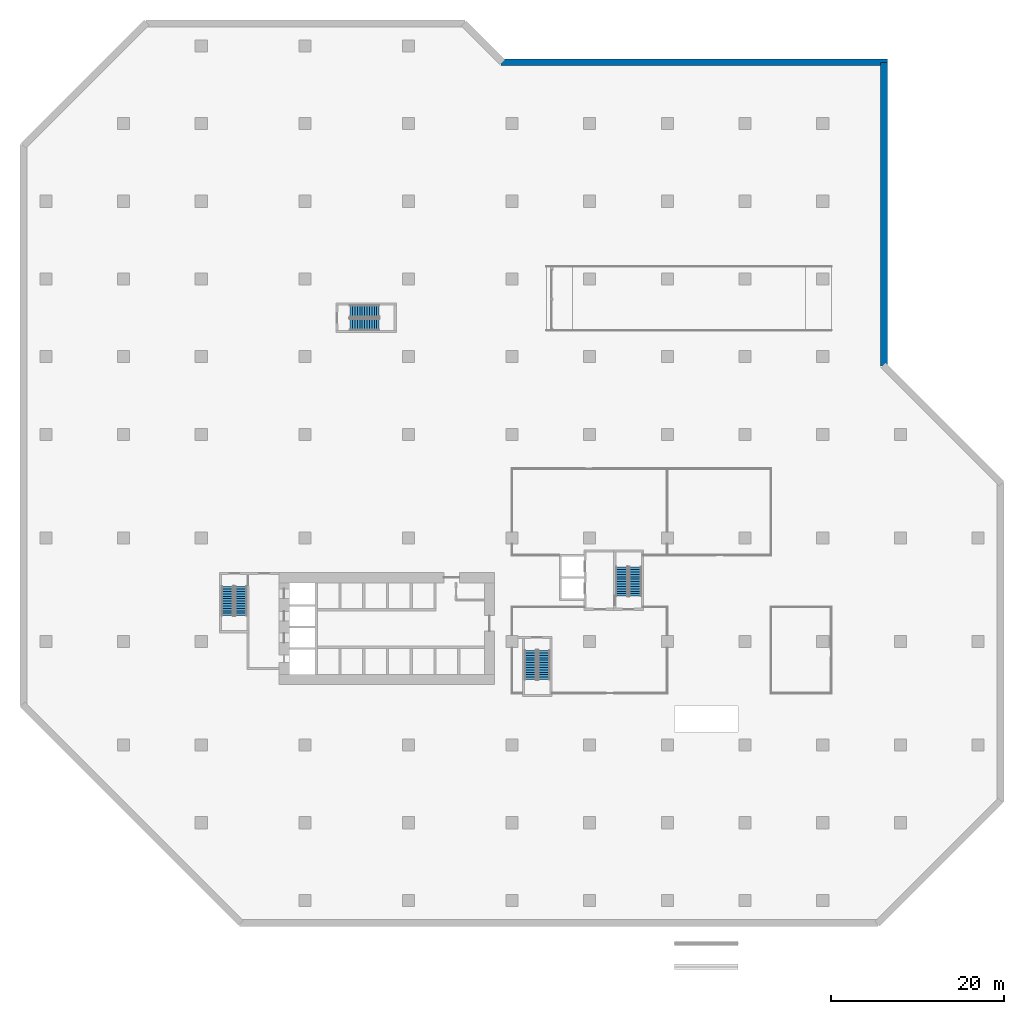
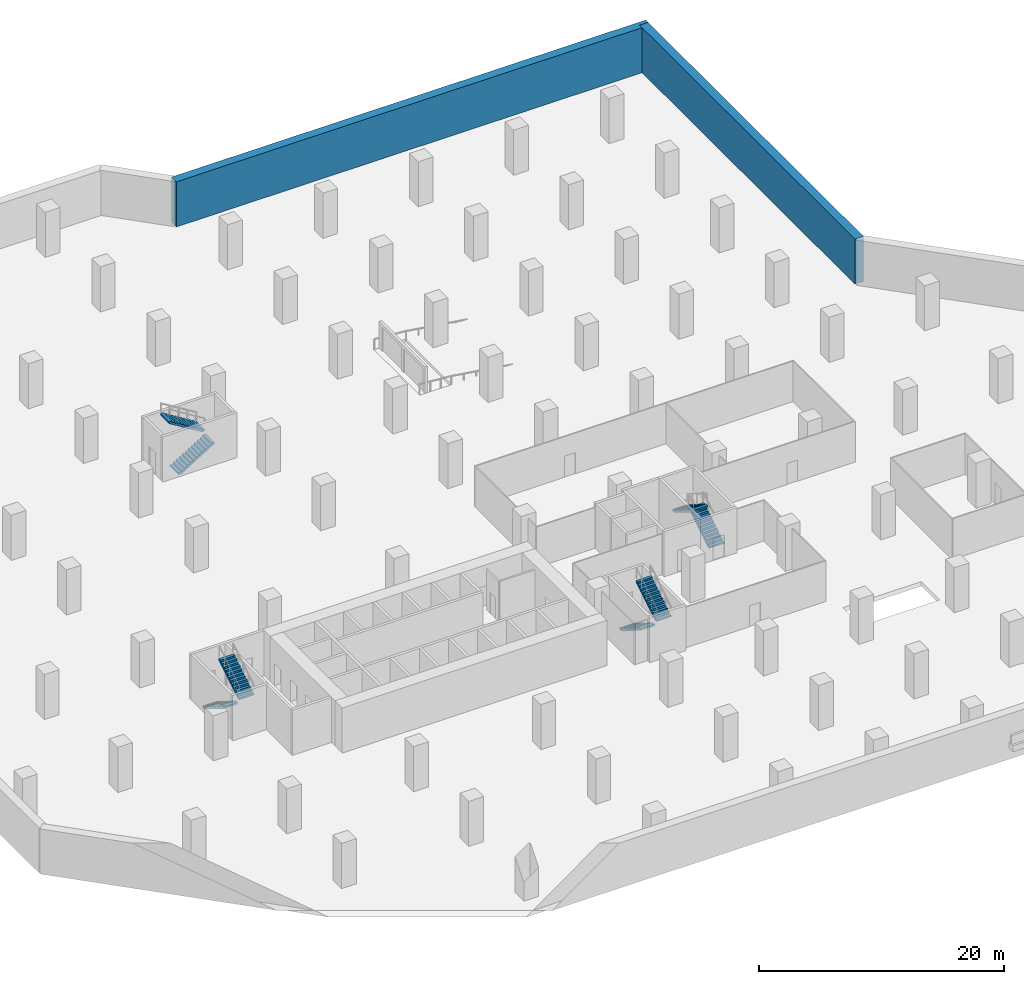
# One storey, part 7 of 9: 8 stair flights, 2 walls, 4 elements without a shape of their own.
"""IFC4 building model written with IfcOpenShell, lengths in metres."""

from ifc_helpers import new_model, si_unit, direction, frame, frame_2d, origin, place, context, subcontext, project, spatial, polyline, rectangle, outline, extrude, material, layer, layer_set, type_object, element, aggregate, save


model = new_model("IFC4")

# Units and contexts
model_context = context("Model", 3, precision=1e-05, world=origin(), true_north=direction((0.0, 1.0)))
body_context = subcontext(model_context, "Body", "Model", "MODEL_VIEW")
ifc_project = project(units=[si_unit("LENGTHUNIT", "METRE"), si_unit("AREAUNIT", "SQUARE_METRE"), si_unit("VOLUMEUNIT", "CUBIC_METRE"), si_unit("PLANEANGLEUNIT", "RADIAN"), si_unit("MASSUNIT", "GRAM", prefix="KILO")], contexts=[model_context])

# Site, building, storey
site_placement = place(None, origin())
site = spatial("IfcSite", under=ifc_project, at=site_placement, CompositionType="ELEMENT")
building_placement = place(site_placement, origin())
building = spatial("IfcBuilding", under=site, at=building_placement, Name="Chenar Terraces", CompositionType="ELEMENT")
storey_placement = place(building_placement, frame((0.0, 0.0, -4.5)))
storey = spatial("IfcBuildingStorey", under=building, at=storey_placement, Name="B1", CompositionType="ELEMENT", Elevation=-4.5)

# Walls
ifc_material_1 = material(Name="Concrete C40/50", Category="concrete")
ifc_layer = layer(ifc_material_1, 0.800048828125)
ifc_layer_set = layer_set([ifc_layer], Name="Concrete C40/50")
wall_type = type_object("IfcWallType", Name="Diaphragm wall 800 Concrete C40/50", PredefinedType="SOLIDWALL", material=ifc_layer_set)
wall_1_placement = place(storey_placement, frame((79.10009765625, 43.91162109375, 0.0), z_axis=(0.0, 0.0, 1.0), x_axis=(0.0, 1.0, 0.0)))
element("IfcWall", 1, at=wall_1_placement, inside=storey, type_object=wall_type, Name="Diaphragm wall B1 10", PredefinedType="SOLIDWALL", context=body_context, shape_type="SweptSolid", body=[
    extrude(rectangle(XDim=35.1884765625, YDim=0.800048828125, at=frame_2d((17.59423828125, 0.0))), origin(), (0.0, 0.0, 1.0), 4.5),
])
wall_2_placement = place(storey_placement, frame((79.5, 79.10009765625, 0.0), z_axis=(0.0, 0.0, 1.0), x_axis=(-1.0, 0.0, 0.0)))
element("IfcWall", 2, at=wall_2_placement, inside=storey, type_object=wall_type, Name="Diaphragm wall B1 11", PredefinedType="SOLIDWALL", context=body_context, shape_type="SweptSolid", body=[
    extrude(rectangle(XDim=44.754150390625, YDim=0.800048828125, at=frame_2d((22.376953125, 0.0))), origin(), (0.0, 0.0, 1.0), 4.5),
])

# Stair, stair flights
ifc_material_2 = material(Name="Reinforced concrete C40/50", Category="concrete")
stair_type = type_object("IfcStairType", Name="Core stair 1400 half-turn", PredefinedType="HALF_TURN_STAIR", material=ifc_material_2)
placement = place(storey_placement, origin())
stair_1 = element("IfcStair", 3, at=placement, inside=storey, type_object=stair_type, Name="B1 Stair 1", PredefinedType="HALF_TURN_STAIR")
ifc_material_3 = material(Name="Reinforced concrete C40/50", Category="concrete")
stair_flight_type = type_object("IfcStairFlightType", Name="Core stair flight 1400", PredefinedType="STRAIGHT", material=ifc_material_3)
stair_flight_1_placement = place(storey_placement, frame((3.050048828125, 18.35009765625, 0.0), z_axis=(0.0, 0.0, 1.0), x_axis=(0.0, -1.0, 0.0)))
stair_flight_1 = element("IfcStairFlight", 4, at=stair_flight_1_placement, type_object=stair_flight_type, Name="ST1 flight 1", NumberOfRisers=13, NumberOfTreads=12, PredefinedType="STRAIGHT", RiserHeight=0.173076923, TreadLength=0.28, context=body_context, shape_type="SweptSolid", body=[
    extrude(outline(polyline([(-0.0029296875, 0.0), (-0.0029296875, 0.173095703125), (0.0, 0.173095703125), (0.280029296875, 0.173095703125), (0.280029296875, 0.34619140625), (0.56005859375, 0.34619140625), (0.56005859375, 0.519287109375), (0.840087890625, 0.519287109375), (0.840087890625, 0.6923828125), (1.1201171875, 0.6923828125), (1.1201171875, 0.865478515625), (1.39990234375, 0.865478515625), (1.39990234375, 1.03857421875), (1.679931640625, 1.03857421875), (1.679931640625, 1.21142578125), (1.9599609375, 1.21142578125), (1.9599609375, 1.384521484375), (2.239990234375, 1.384521484375), (2.239990234375, 1.5576171875), (2.52001953125, 1.5576171875), (2.52001953125, 1.730712890625), (2.800048828125, 1.730712890625), (2.800048828125, 1.90380859375), (3.080078125, 1.90380859375), (3.080078125, 2.076904296875), (3.360107421875, 2.076904296875), (3.363037109375, 2.076904296875), (3.363037109375, 1.900634765625), (3.360107421875, 1.900634765625), (0.28515625, 0.0), (-0.0029296875, 0.0)])), frame((0.0, 0.699951171875, 0.0), z_axis=(0.0, -1.0, 0.0), x_axis=(1.0, 0.0, 0.0)), (0.0, 0.0, 1.0), 1.39990234375),
])
stair_flight_2_placement = place(storey_placement, frame((4.60009765625, 14.989990234375, 2.25), z_axis=(0.0, 0.0, 1.0), x_axis=(0.0, 1.0, 0.0)))
stair_flight_2 = element("IfcStairFlight", 5, at=stair_flight_2_placement, type_object=stair_flight_type, Name="ST1 flight 2", NumberOfRisers=13, NumberOfTreads=12, PredefinedType="STRAIGHT", RiserHeight=0.173076923, TreadLength=0.28, context=body_context, shape_type="SweptSolid", body=[
    extrude(outline(polyline([(-0.0029296875, 0.0), (-0.0029296875, 0.173095703125), (0.0, 0.173095703125), (0.280029296875, 0.173095703125), (0.280029296875, 0.34619140625), (0.56005859375, 0.34619140625), (0.56005859375, 0.519287109375), (0.840087890625, 0.519287109375), (0.840087890625, 0.6923828125), (1.1201171875, 0.6923828125), (1.1201171875, 0.865478515625), (1.39990234375, 0.865478515625), (1.39990234375, 1.03857421875), (1.679931640625, 1.03857421875), (1.679931640625, 1.21142578125), (1.9599609375, 1.21142578125), (1.9599609375, 1.384521484375), (2.239990234375, 1.384521484375), (2.239990234375, 1.5576171875), (2.52001953125, 1.5576171875), (2.52001953125, 1.730712890625), (2.800048828125, 1.730712890625), (2.800048828125, 1.90380859375), (3.080078125, 1.90380859375), (3.080078125, 2.076904296875), (3.360107421875, 2.076904296875), (3.363037109375, 2.076904296875), (3.363037109375, 1.900634765625), (3.360107421875, 1.900634765625), (0.28515625, 0.0), (-0.0029296875, 0.0)])), frame((0.0, 0.699951171875, 0.0), z_axis=(0.0, -1.0, 0.0), x_axis=(1.0, 0.0, 0.0)), (0.0, 0.0, 1.0), 1.39990234375),
])
aggregate(stair_1, [stair_flight_1, stair_flight_2])

stair_2 = element("IfcStair", 6, at=placement, inside=storey, type_object=stair_type, Name="B1 Stair 2", PredefinedType="HALF_TURN_STAIR")
stair_flight_3_placement = place(storey_placement, frame((38.14990234375, 10.949951171875, 0.0), z_axis=(0.0, 0.0, 1.0), x_axis=(0.0, -1.0, 0.0)))
stair_flight_3 = element("IfcStairFlight", 7, at=stair_flight_3_placement, type_object=stair_flight_type, Name="ST2 flight 1", NumberOfRisers=13, NumberOfTreads=12, PredefinedType="STRAIGHT", RiserHeight=0.173076923, TreadLength=0.28, context=body_context, shape_type="SweptSolid", body=[
    extrude(outline(polyline([(-0.0029296875, 0.0), (-0.0029296875, 0.173095703125), (0.0, 0.173095703125), (0.280029296875, 0.173095703125), (0.280029296875, 0.34619140625), (0.56005859375, 0.34619140625), (0.56005859375, 0.519287109375), (0.840087890625, 0.519287109375), (0.840087890625, 0.6923828125), (1.1201171875, 0.6923828125), (1.1201171875, 0.865478515625), (1.39990234375, 0.865478515625), (1.39990234375, 1.03857421875), (1.679931640625, 1.03857421875), (1.679931640625, 1.21142578125), (1.9599609375, 1.21142578125), (1.9599609375, 1.384521484375), (2.239990234375, 1.384521484375), (2.239990234375, 1.5576171875), (2.52001953125, 1.5576171875), (2.52001953125, 1.730712890625), (2.800048828125, 1.730712890625), (2.800048828125, 1.90380859375), (3.080078125, 1.90380859375), (3.080078125, 2.076904296875), (3.360107421875, 2.076904296875), (3.363037109375, 2.076904296875), (3.363037109375, 1.900634765625), (3.360107421875, 1.900634765625), (0.28515625, 0.0), (-0.0029296875, 0.0)])), frame((0.0, 0.699951171875, 0.0), z_axis=(0.0, -1.0, 0.0), x_axis=(1.0, 0.0, 0.0)), (0.0, 0.0, 1.0), 1.39990234375),
])
stair_flight_4_placement = place(storey_placement, frame((39.699951171875, 7.590087890625, 2.25), z_axis=(0.0, 0.0, 1.0), x_axis=(0.0, 1.0, 0.0)))
stair_flight_4 = element("IfcStairFlight", 8, at=stair_flight_4_placement, type_object=stair_flight_type, Name="ST2 flight 2", NumberOfRisers=13, NumberOfTreads=12, PredefinedType="STRAIGHT", RiserHeight=0.173076923, TreadLength=0.28, context=body_context, shape_type="SweptSolid", body=[
    extrude(outline(polyline([(-0.0029296875, 0.0), (-0.0029296875, 0.173095703125), (0.0, 0.173095703125), (0.280029296875, 0.173095703125), (0.280029296875, 0.34619140625), (0.56005859375, 0.34619140625), (0.56005859375, 0.519287109375), (0.840087890625, 0.519287109375), (0.840087890625, 0.6923828125), (1.1201171875, 0.6923828125), (1.1201171875, 0.865478515625), (1.39990234375, 0.865478515625), (1.39990234375, 1.03857421875), (1.679931640625, 1.03857421875), (1.679931640625, 1.21142578125), (1.9599609375, 1.21142578125), (1.9599609375, 1.384521484375), (2.239990234375, 1.384521484375), (2.239990234375, 1.5576171875), (2.52001953125, 1.5576171875), (2.52001953125, 1.730712890625), (2.800048828125, 1.730712890625), (2.800048828125, 1.90380859375), (3.080078125, 1.90380859375), (3.080078125, 2.076904296875), (3.360107421875, 2.076904296875), (3.363037109375, 2.076904296875), (3.363037109375, 1.900634765625), (3.360107421875, 1.900634765625), (0.28515625, 0.0), (-0.0029296875, 0.0)])), frame((0.0, 0.699951171875, 0.0), z_axis=(0.0, -1.0, 0.0), x_axis=(1.0, 0.0, 0.0)), (0.0, 0.0, 1.0), 1.39990234375),
])
aggregate(stair_2, [stair_flight_3, stair_flight_4])

stair_3 = element("IfcStair", 9, at=placement, inside=storey, type_object=stair_type, Name="B1 Stair 3", PredefinedType="HALF_TURN_STAIR")
stair_flight_5_placement = place(storey_placement, frame((50.27490234375, 17.25, 0.0), z_axis=(0.0, 0.0, 1.0), x_axis=(0.0, 1.0, 0.0)))
stair_flight_5 = element("IfcStairFlight", 10, at=stair_flight_5_placement, type_object=stair_flight_type, Name="ST3 flight 1", NumberOfRisers=13, NumberOfTreads=12, PredefinedType="STRAIGHT", RiserHeight=0.173076923, TreadLength=0.28, context=body_context, shape_type="SweptSolid", body=[
    extrude(outline(polyline([(-0.0029296875, 0.0), (-0.0029296875, 0.173095703125), (0.0, 0.173095703125), (0.280029296875, 0.173095703125), (0.280029296875, 0.34619140625), (0.56005859375, 0.34619140625), (0.56005859375, 0.519287109375), (0.840087890625, 0.519287109375), (0.840087890625, 0.6923828125), (1.1201171875, 0.6923828125), (1.1201171875, 0.865478515625), (1.39990234375, 0.865478515625), (1.39990234375, 1.03857421875), (1.679931640625, 1.03857421875), (1.679931640625, 1.21142578125), (1.9599609375, 1.21142578125), (1.9599609375, 1.384521484375), (2.239990234375, 1.384521484375), (2.239990234375, 1.5576171875), (2.52001953125, 1.5576171875), (2.52001953125, 1.730712890625), (2.800048828125, 1.730712890625), (2.800048828125, 1.90380859375), (3.080078125, 1.90380859375), (3.080078125, 2.076904296875), (3.360107421875, 2.076904296875), (3.363037109375, 2.076904296875), (3.363037109375, 1.900634765625), (3.360107421875, 1.900634765625), (0.28515625, 0.0), (-0.0029296875, 0.0)])), frame((0.0, 0.699951171875, 0.0), z_axis=(0.0, -1.0, 0.0), x_axis=(1.0, 0.0, 0.0)), (0.0, 0.0, 1.0), 1.39990234375),
])
stair_flight_6_placement = place(storey_placement, frame((48.72509765625, 20.610107421875, 2.25), z_axis=(0.0, 0.0, 1.0), x_axis=(0.0, -1.0, 0.0)))
stair_flight_6 = element("IfcStairFlight", 11, at=stair_flight_6_placement, type_object=stair_flight_type, Name="ST3 flight 2", NumberOfRisers=13, NumberOfTreads=12, PredefinedType="STRAIGHT", RiserHeight=0.173076923, TreadLength=0.28, context=body_context, shape_type="SweptSolid", body=[
    extrude(outline(polyline([(-0.0029296875, 0.0), (-0.0029296875, 0.173095703125), (0.0, 0.173095703125), (0.280029296875, 0.173095703125), (0.280029296875, 0.34619140625), (0.56005859375, 0.34619140625), (0.56005859375, 0.519287109375), (0.840087890625, 0.519287109375), (0.840087890625, 0.6923828125), (1.1201171875, 0.6923828125), (1.1201171875, 0.865478515625), (1.39990234375, 0.865478515625), (1.39990234375, 1.03857421875), (1.679931640625, 1.03857421875), (1.679931640625, 1.21142578125), (1.9599609375, 1.21142578125), (1.9599609375, 1.384521484375), (2.239990234375, 1.384521484375), (2.239990234375, 1.5576171875), (2.52001953125, 1.5576171875), (2.52001953125, 1.730712890625), (2.800048828125, 1.730712890625), (2.800048828125, 1.90380859375), (3.080078125, 1.90380859375), (3.080078125, 2.076904296875), (3.360107421875, 2.076904296875), (3.363037109375, 2.076904296875), (3.363037109375, 1.900634765625), (3.360107421875, 1.900634765625), (0.28515625, 0.0), (-0.0029296875, 0.0)])), frame((0.0, 0.699951171875, 0.0), z_axis=(0.0, -1.0, 0.0), x_axis=(1.0, 0.0, 0.0)), (0.0, 0.0, 1.0), 1.39990234375),
])
aggregate(stair_3, [stair_flight_5, stair_flight_6])

stair_4 = element("IfcStair", 12, at=placement, inside=storey, type_object=stair_type, Name="B1 Stair 4", PredefinedType="HALF_TURN_STAIR")
stair_flight_7_placement = place(storey_placement, frame((17.25, 48.72509765625, 0.0), z_axis=(0.0, 0.0, 1.0), x_axis=(1.0, 0.0, 0.0)))
stair_flight_7 = element("IfcStairFlight", 13, at=stair_flight_7_placement, type_object=stair_flight_type, Name="ST4 flight 1", NumberOfRisers=13, NumberOfTreads=12, PredefinedType="STRAIGHT", RiserHeight=0.173076923, TreadLength=0.28, context=body_context, shape_type="SweptSolid", body=[
    extrude(outline(polyline([(-0.0029296875, 0.0), (-0.0029296875, 0.173095703125), (0.0, 0.173095703125), (0.280029296875, 0.173095703125), (0.280029296875, 0.34619140625), (0.56005859375, 0.34619140625), (0.56005859375, 0.519287109375), (0.840087890625, 0.519287109375), (0.840087890625, 0.6923828125), (1.1201171875, 0.6923828125), (1.1201171875, 0.865478515625), (1.39990234375, 0.865478515625), (1.39990234375, 1.03857421875), (1.679931640625, 1.03857421875), (1.679931640625, 1.21142578125), (1.9599609375, 1.21142578125), (1.9599609375, 1.384521484375), (2.239990234375, 1.384521484375), (2.239990234375, 1.5576171875), (2.52001953125, 1.5576171875), (2.52001953125, 1.730712890625), (2.800048828125, 1.730712890625), (2.800048828125, 1.90380859375), (3.080078125, 1.90380859375), (3.080078125, 2.076904296875), (3.360107421875, 2.076904296875), (3.363037109375, 2.076904296875), (3.363037109375, 1.900634765625), (3.360107421875, 1.900634765625), (0.28515625, 0.0), (-0.0029296875, 0.0)])), frame((0.0, 0.699951171875, 0.0), z_axis=(0.0, -1.0, 0.0), x_axis=(1.0, 0.0, 0.0)), (0.0, 0.0, 1.0), 1.39990234375),
])
stair_flight_8_placement = place(storey_placement, frame((20.610107421875, 50.27490234375, 2.25), z_axis=(0.0, 0.0, 1.0), x_axis=(-1.0, 0.0, 0.0)))
stair_flight_8 = element("IfcStairFlight", 14, at=stair_flight_8_placement, type_object=stair_flight_type, Name="ST4 flight 2", NumberOfRisers=13, NumberOfTreads=12, PredefinedType="STRAIGHT", RiserHeight=0.173076923, TreadLength=0.28, context=body_context, shape_type="SweptSolid", body=[
    extrude(outline(polyline([(-0.0029296875, 0.0), (-0.0029296875, 0.173095703125), (0.0, 0.173095703125), (0.280029296875, 0.173095703125), (0.280029296875, 0.34619140625), (0.56005859375, 0.34619140625), (0.56005859375, 0.519287109375), (0.840087890625, 0.519287109375), (0.840087890625, 0.6923828125), (1.1201171875, 0.6923828125), (1.1201171875, 0.865478515625), (1.39990234375, 0.865478515625), (1.39990234375, 1.03857421875), (1.679931640625, 1.03857421875), (1.679931640625, 1.21142578125), (1.9599609375, 1.21142578125), (1.9599609375, 1.384521484375), (2.239990234375, 1.384521484375), (2.239990234375, 1.5576171875), (2.52001953125, 1.5576171875), (2.52001953125, 1.730712890625), (2.800048828125, 1.730712890625), (2.800048828125, 1.90380859375), (3.080078125, 1.90380859375), (3.080078125, 2.076904296875), (3.360107421875, 2.076904296875), (3.363037109375, 2.076904296875), (3.363037109375, 1.900634765625), (3.360107421875, 1.900634765625), (0.28515625, 0.0), (-0.0029296875, 0.0)])), frame((0.0, 0.699951171875, 0.0), z_axis=(0.0, -1.0, 0.0), x_axis=(1.0, 0.0, 0.0)), (0.0, 0.0, 1.0), 1.39990234375),
])
aggregate(stair_4, [stair_flight_7, stair_flight_8])

save(model, "model.ifc")
